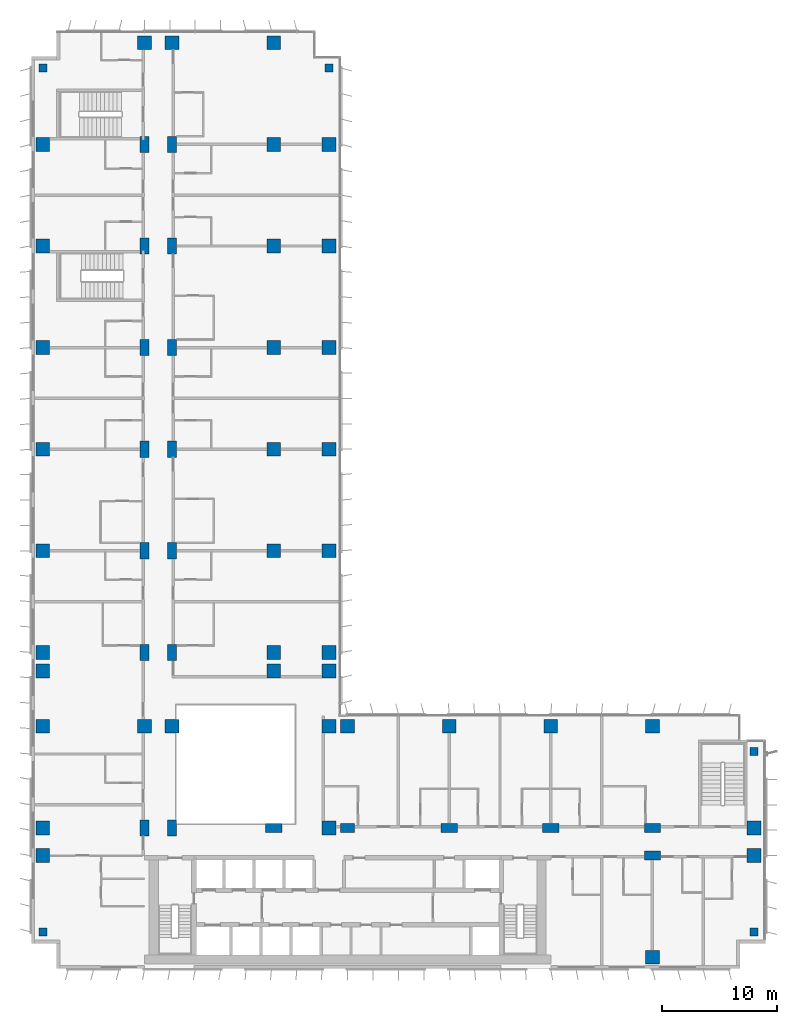
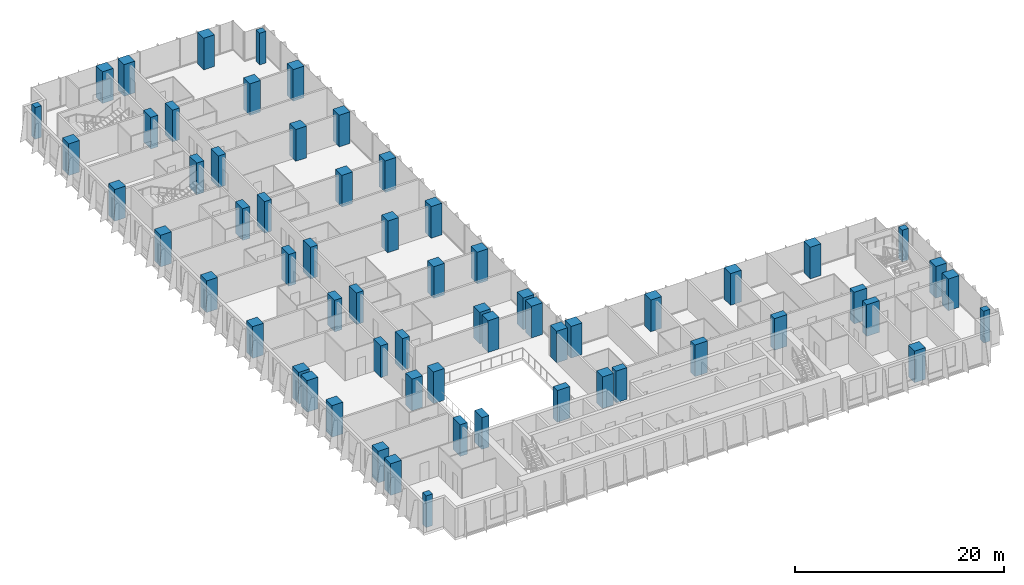
# One storey, part 1 of 23: 63 columns.
"""IFC4 building model written with IfcOpenShell, lengths in metres."""

from ifc_helpers import new_model, si_unit, direction, frame, origin, origin_2d, place, context, subcontext, project, spatial, rectangle, extrude, material, material_profile, profile_set, type_object, element, save


model = new_model("IFC4")

# Units and contexts
model_context = context("Model", 3, precision=1e-05, world=origin(), true_north=direction((0.0, 1.0)))
body_context = subcontext(model_context, "Body", "Model", "MODEL_VIEW")
ifc_project = project(units=[si_unit("LENGTHUNIT", "METRE"), si_unit("AREAUNIT", "SQUARE_METRE"), si_unit("VOLUMEUNIT", "CUBIC_METRE"), si_unit("PLANEANGLEUNIT", "RADIAN"), si_unit("MASSUNIT", "GRAM", prefix="KILO")], contexts=[model_context])

# Site, building, storey
site_placement = place(None, origin())
site = spatial("IfcSite", under=ifc_project, at=site_placement, CompositionType="ELEMENT")
building_placement = place(site_placement, origin())
building = spatial("IfcBuilding", under=site, at=building_placement, Name="Kemantara Hotel Tower", CompositionType="ELEMENT")
storey_placement = place(building_placement, frame((0.0, 0.0, 114.800048828125)))
storey = spatial("IfcBuildingStorey", under=building, at=storey_placement, Name="L27", CompositionType="ELEMENT", Elevation=114.800048828125)

# Columns
ifc_material = material(Name="Concrete fc 70 MPa", Category="concrete")
ifc_material_profile_1 = material_profile(ifc_material, rectangle(XDim=1.199951171875, YDim=1.199951171875, at=origin_2d()), Name="RC 1200X1200")
ifc_profile_set_1 = profile_set([ifc_material_profile_1], Name="Concrete fc 70 MPa")
column_type_1 = type_object("IfcColumnType", Name="RC COLUMN 1200X1200 FC70", PredefinedType="COLUMN", material=ifc_profile_set_1)
for number, where, z_axis, x_axis, name in (
    (1, (1.0, 9.800048828125, 0.0), (0.0, 0.0, 1.0), (1.0, 0.0, 0.0), "COLUMN 1/B L27"),
    (2, (1.0, 12.199951171875, 0.0), (0.0, 0.0, 1.0), (1.0, 0.0, 0.0), "COLUMN 1/BA L27"),
    (3, (1.0, 21.0, 0.0), (0.0, 0.0, 1.0), (1.0, 0.0, 0.0), "COLUMN 1/C L27"),
    (4, (1.0, 25.800048828125, 0.0), (0.0, 0.0, 1.0), (1.0, 0.0, 0.0), "COLUMN 1/CA L27"),
    (5, (1.0, 27.39990234375, 0.0), (0.0, 0.0, 1.0), (1.0, 0.0, 0.0), "COLUMN 1/D L27"),
    (6, (1.0, 36.199951171875, 0.0), (0.0, 0.0, 1.0), (1.0, 0.0, 0.0), "COLUMN 1/E L27"),
    (7, (1.0, 45.0, 0.0), (0.0, 0.0, 1.0), (1.0, 0.0, 0.0), "COLUMN 1/F L27"),
    (8, (1.0, 53.800048828125, 0.0), (0.0, 0.0, 1.0), (1.0, 0.0, 0.0), "COLUMN 1/G L27"),
    (9, (1.0, 62.60009765625, 0.0), (0.0, 0.0, 1.0), (1.0, 0.0, 0.0), "COLUMN 1/H L27"),
    (10, (1.0, 71.39990234375, 0.0), (0.0, 0.0, 1.0), (1.0, 0.0, 0.0), "COLUMN 1/J L27"),
    (11, (9.800048828125, 21.0, 0.0), (0.0, 0.0, 1.0), (1.0, 0.0, 0.0), "COLUMN 2/C L27"),
    (12, (9.800048828125, 80.199951171875, 0.0), (0.0, 0.0, 1.0), (1.0, 0.0, 0.0), "COLUMN 2/K L27"),
    (13, (12.199951171875, 21.0, 0.0), (0.0, 0.0, 1.0), (1.0, 0.0, 0.0), "COLUMN 2A/C L27"),
    (14, (12.199951171875, 80.199951171875, 0.0), (0.0, 0.0, 1.0), (1.0, 0.0, 0.0), "COLUMN 2A/K L27"),
    (15, (21.0, 25.800048828125, 0.0), (0.0, 0.0, 1.0), (1.0, 0.0, 0.0), "COLUMN 3/CA L27"),
    (16, (21.0, 27.39990234375, 0.0), (0.0, 0.0, 1.0), (1.0, 0.0, 0.0), "COLUMN 3/D L27"),
    (17, (21.0, 36.199951171875, 0.0), (0.0, 0.0, 1.0), (1.0, 0.0, 0.0), "COLUMN 3/E L27"),
    (18, (21.0, 45.0, 0.0), (0.0, 0.0, 1.0), (1.0, 0.0, 0.0), "COLUMN 3/F L27"),
    (19, (21.0, 53.800048828125, 0.0), (0.0, 0.0, 1.0), (1.0, 0.0, 0.0), "COLUMN 3/G L27"),
    (20, (21.0, 62.60009765625, 0.0), (0.0, 0.0, 1.0), (1.0, 0.0, 0.0), "COLUMN 3/H L27"),
    (21, (21.0, 71.39990234375, 0.0), (0.0, 0.0, 1.0), (1.0, 0.0, 0.0), "COLUMN 3/J L27"),
    (22, (21.0, 80.199951171875, 0.0), (0.0, 0.0, 1.0), (1.0, 0.0, 0.0), "COLUMN 3/K L27"),
    (23, (25.800048828125, 12.199951171875, 0.0), (0.0, 0.0, 1.0), (1.0, 0.0, 0.0), "COLUMN 3A/BA L27"),
    (24, (25.800048828125, 21.0, 0.0), (0.0, 0.0, 1.0), (1.0, 0.0, 0.0), "COLUMN 3A/C L27"),
    (25, (25.800048828125, 25.800048828125, 0.0), (0.0, 0.0, 1.0), (1.0, 0.0, 0.0), "COLUMN 3A/CA L27"),
    (26, (25.800048828125, 27.39990234375, 0.0), (0.0, 0.0, 1.0), (1.0, 0.0, 0.0), "COLUMN 3A/D L27"),
    (27, (25.800048828125, 36.199951171875, 0.0), (0.0, 0.0, 1.0), (1.0, 0.0, 0.0), "COLUMN 3A/E L27"),
    (28, (25.800048828125, 45.0, 0.0), (0.0, 0.0, 1.0), (1.0, 0.0, 0.0), "COLUMN 3A/F L27"),
    (29, (25.800048828125, 53.800048828125, 0.0), (0.0, 0.0, 1.0), (1.0, 0.0, 0.0), "COLUMN 3A/G L27"),
    (30, (25.800048828125, 62.60009765625, 0.0), (0.0, 0.0, 1.0), (1.0, 0.0, 0.0), "COLUMN 3A/H L27"),
    (31, (25.800048828125, 71.39990234375, 0.0), (0.0, 0.0, 1.0), (1.0, 0.0, 0.0), "COLUMN 3A/J L27"),
    (32, (27.39990234375, 21.0, 0.0), (0.0, 0.0, 1.0), (1.0, 0.0, 0.0), "COLUMN 4/C L27"),
    (33, (36.199951171875, 21.0, 0.0), (0.0, 0.0, 1.0), (1.0, 0.0, 0.0), "COLUMN 5/C L27"),
    (34, (45.0, 21.0, 0.0), (0.0, 0.0, 1.0), (1.0, 0.0, 0.0), "COLUMN 6/C L27"),
    (35, (53.800048828125, 1.0, 0.0), (0.0, 0.0, 1.0), (1.0, 0.0, 0.0), "COLUMN 7/A L27"),
    (36, (53.800048828125, 21.0, 0.0), (0.0, 0.0, 1.0), (1.0, 0.0, 0.0), "COLUMN 7/C L27"),
    (37, (62.60009765625, 9.800048828125, 0.0), (0.0, 0.0, 1.0), (1.0, 0.0, 0.0), "COLUMN 8/B L27"),
    (38, (62.60009765625, 12.199951171875, 0.0), (0.0, 0.0, 1.0), (1.0, 0.0, 0.0), "COLUMN 8/BA L27"),
):
    element("IfcColumn", number, at=place(storey_placement, frame(where, z_axis=z_axis, x_axis=x_axis)), inside=storey, type_object=column_type_1, Name=name, PredefinedType="COLUMN", context=body_context, shape_type="SweptSolid", body=[
        extrude(rectangle(XDim=1.199951171875, YDim=1.199951171875, at=origin_2d()), origin(), (0.0, 0.0, 1.0), 3.699951171875),
    ])
ifc_material_profile_2 = material_profile(ifc_material, rectangle(XDim=1.199951171875, YDim=0.800048828125, at=origin_2d()), Name="RC 1200X800")
ifc_profile_set_2 = profile_set([ifc_material_profile_2], Name="Concrete fc 70 MPa")
column_type_2 = type_object("IfcColumnType", Name="RC COLUMN 1200X800 FC70", PredefinedType="COLUMN", material=ifc_profile_set_2)
column_placement = place(storey_placement, frame((27.39990234375, 12.199951171875, 0.0), z_axis=(0.0, 0.0, 1.0), x_axis=(1.0, 0.0, 0.0)))
element("IfcColumn", 39, at=column_placement, inside=storey, type_object=column_type_2, Name="COLUMN 4/BA L27", PredefinedType="COLUMN", context=body_context, shape_type="SweptSolid", body=[
    extrude(rectangle(XDim=1.199951171875, YDim=0.800048828125, at=origin_2d()), origin(), (0.0, 0.0, 1.0), 3.699951171875),
])
ifc_material_profile_3 = material_profile(ifc_material, rectangle(XDim=1.39990234375, YDim=0.800048828125, at=origin_2d()), Name="RC 1400X800")
ifc_profile_set_3 = profile_set([ifc_material_profile_3], Name="Concrete fc 70 MPa")
column_type_3 = type_object("IfcColumnType", Name="RC COLUMN 1400X800 FC70", PredefinedType="COLUMN", material=ifc_profile_set_3)
for number, where, z_axis, x_axis, name in (
    (40, (9.800048828125, 12.199951171875, 0.0), (0.0, 0.0, 1.0), (0.0, 1.0, 0.0), "COLUMN 2/BA L27"),
    (41, (9.800048828125, 27.39990234375, 0.0), (0.0, 0.0, 1.0), (0.0, 1.0, 0.0), "COLUMN 2/D L27"),
    (42, (9.800048828125, 36.199951171875, 0.0), (0.0, 0.0, 1.0), (0.0, 1.0, 0.0), "COLUMN 2/E L27"),
    (43, (9.800048828125, 45.0, 0.0), (0.0, 0.0, 1.0), (0.0, 1.0, 0.0), "COLUMN 2/F L27"),
    (44, (9.800048828125, 53.800048828125, 0.0), (0.0, 0.0, 1.0), (0.0, 1.0, 0.0), "COLUMN 2/G L27"),
    (45, (9.800048828125, 62.60009765625, 0.0), (0.0, 0.0, 1.0), (0.0, 1.0, 0.0), "COLUMN 2/H L27"),
    (46, (9.800048828125, 71.39990234375, 0.0), (0.0, 0.0, 1.0), (0.0, 1.0, 0.0), "COLUMN 2/J L27"),
    (47, (12.199951171875, 12.199951171875, 0.0), (0.0, 0.0, 1.0), (0.0, 1.0, 0.0), "COLUMN 2A/BA L27"),
    (48, (12.199951171875, 27.39990234375, 0.0), (0.0, 0.0, 1.0), (0.0, 1.0, 0.0), "COLUMN 2A/D L27"),
    (49, (12.199951171875, 36.199951171875, 0.0), (0.0, 0.0, 1.0), (0.0, 1.0, 0.0), "COLUMN 2A/E L27"),
    (50, (12.199951171875, 45.0, 0.0), (0.0, 0.0, 1.0), (0.0, 1.0, 0.0), "COLUMN 2A/F L27"),
    (51, (12.199951171875, 53.800048828125, 0.0), (0.0, 0.0, 1.0), (0.0, 1.0, 0.0), "COLUMN 2A/G L27"),
    (52, (12.199951171875, 62.60009765625, 0.0), (0.0, 0.0, 1.0), (0.0, 1.0, 0.0), "COLUMN 2A/H L27"),
    (53, (12.199951171875, 71.39990234375, 0.0), (0.0, 0.0, 1.0), (0.0, 1.0, 0.0), "COLUMN 2A/J L27"),
    (54, (21.0, 12.199951171875, 0.0), (0.0, 0.0, 1.0), (1.0, 0.0, 0.0), "COLUMN 3/BA L27"),
    (55, (36.199951171875, 12.199951171875, 0.0), (0.0, 0.0, 1.0), (1.0, 0.0, 0.0), "COLUMN 5/BA L27"),
    (56, (45.0, 12.199951171875, 0.0), (0.0, 0.0, 1.0), (1.0, 0.0, 0.0), "COLUMN 6/BA L27"),
    (57, (53.800048828125, 9.800048828125, 0.0), (0.0, 0.0, 1.0), (1.0, 0.0, 0.0), "COLUMN 7/B L27"),
    (58, (53.800048828125, 12.199951171875, 0.0), (0.0, 0.0, 1.0), (1.0, 0.0, 0.0), "COLUMN 7/BA L27"),
):
    element("IfcColumn", number, at=place(storey_placement, frame(where, z_axis=z_axis, x_axis=x_axis)), inside=storey, type_object=column_type_3, Name=name, PredefinedType="COLUMN", context=body_context, shape_type="SweptSolid", body=[
        extrude(rectangle(XDim=1.39990234375, YDim=0.800048828125, at=origin_2d()), origin(), (0.0, 0.0, 1.0), 3.699951171875),
    ])
ifc_material_profile_4 = material_profile(ifc_material, rectangle(XDim=0.699951171875, YDim=0.699951171875, at=origin_2d()), Name="RC 700X700")
ifc_profile_set_4 = profile_set([ifc_material_profile_4], Name="Concrete fc 70 MPa")
column_type_4 = type_object("IfcColumnType", Name="RC COLUMN 700X700 FC70", PredefinedType="COLUMN", material=ifc_profile_set_4)
for number, where, z_axis, x_axis, name in (
    (59, (1.0, 3.199951171875, 0.0), (0.0, 0.0, 1.0), (1.0, 0.0, 0.0), "COLUMN notch corner L27"),
    (60, (1.0, 78.0, 0.0), (0.0, 0.0, 1.0), (1.0, 0.0, 0.0), "COLUMN notch corner L27"),
    (61, (25.800048828125, 78.0, 0.0), (0.0, 0.0, 1.0), (1.0, 0.0, 0.0), "COLUMN notch corner L27"),
    (62, (62.60009765625, 3.199951171875, 0.0), (0.0, 0.0, 1.0), (1.0, 0.0, 0.0), "COLUMN notch corner L27"),
    (63, (62.60009765625, 18.800048828125, 0.0), (0.0, 0.0, 1.0), (1.0, 0.0, 0.0), "COLUMN notch corner L27"),
):
    element("IfcColumn", number, at=place(storey_placement, frame(where, z_axis=z_axis, x_axis=x_axis)), inside=storey, type_object=column_type_4, Name=name, PredefinedType="COLUMN", context=body_context, shape_type="SweptSolid", body=[
        extrude(rectangle(XDim=0.699951171875, YDim=0.699951171875, at=origin_2d()), origin(), (0.0, 0.0, 1.0), 3.699951171875),
    ])

save(model, "model.ifc")
